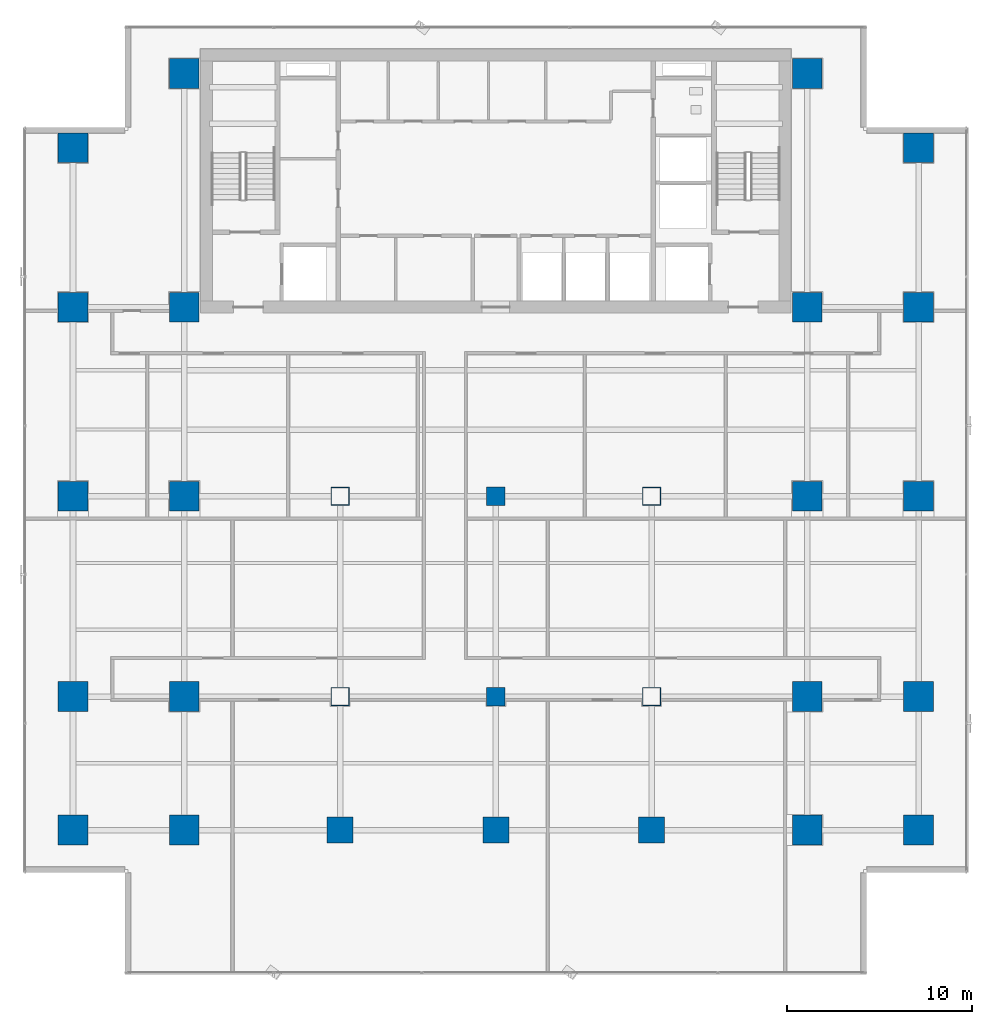
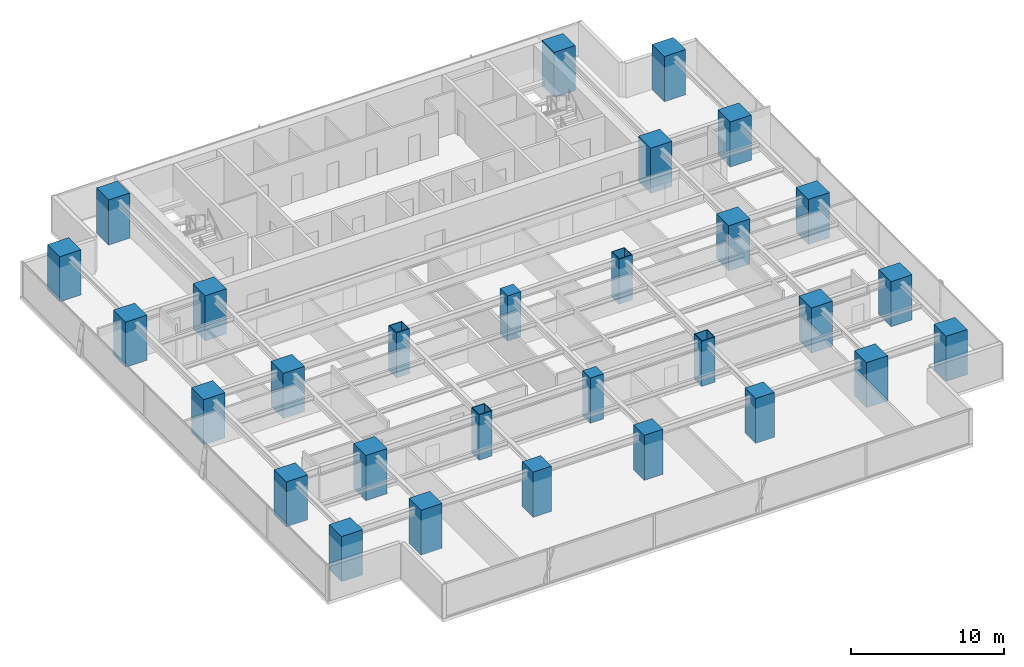
# One storey, part 1 of 34: 29 columns.
"""IFC4 building model written with IfcOpenShell, lengths in metres."""

from ifc_helpers import new_model, si_unit, direction, frame, origin, origin_2d, place, context, subcontext, project, spatial, rectangle, hollow_rectangle, extrude, source, transform, mapped, material, material_profile, profile_set, type_object, element, save


model = new_model("IFC4")

# Units and contexts
model_context = context("Model", 3, precision=1e-05, world=origin(), true_north=direction((0.0, 1.0)))
body_context = subcontext(model_context, "Body", "Model", "MODEL_VIEW")
ifc_project = project(units=[si_unit("LENGTHUNIT", "METRE"), si_unit("AREAUNIT", "SQUARE_METRE"), si_unit("VOLUMEUNIT", "CUBIC_METRE"), si_unit("PLANEANGLEUNIT", "RADIAN"), si_unit("MASSUNIT", "GRAM", prefix="KILO")], contexts=[model_context])

# Site, building, storey
site_placement = place(None, origin())
site = spatial("IfcSite", under=ifc_project, at=site_placement, CompositionType="ELEMENT")
building_placement = place(site_placement, origin())
building = spatial("IfcBuilding", under=site, at=building_placement, Name="Sumidabori Civic Tower", CompositionType="ELEMENT")
storey_placement = place(building_placement, frame((0.0, 0.0, 99.199951171875)))
storey = spatial("IfcBuildingStorey", under=building, at=storey_placement, Name="L25", CompositionType="ELEMENT", Elevation=99.199951171875)

# Columns
ifc_material_1 = material(Name="Concrete C60/75", Category="concrete")
ifc_material_profile_1 = material_profile(ifc_material_1, rectangle(XDim=1.60009765625, YDim=1.60009765625, at=origin_2d()), Name="RC 1600x1600")
ifc_profile_set_1 = profile_set([ifc_material_profile_1], Name="Concrete C60/75")
column_type_1 = type_object("IfcColumnType", Name="CL-MEGA-1600", PredefinedType="COLUMN", material=ifc_profile_set_1)
shared_shape_1 = source(origin(), body_context, "Body", "SweptSolid", [
    extrude(rectangle(XDim=1.60009765625, YDim=1.60009765625, at=origin_2d()), origin(), (0.0, 0.0, 1.0), 3.60009765625),
])
for number, where, z_axis, x_axis, name in (
    (1, (-16.800048828125, -18.0, 0.0), (0.0, 0.0, 1.0), (1.0, 0.0, 0.0), "Column MC-W16-Y18S L25"),
    (2, (-16.800048828125, -10.800048828125, 0.0), (0.0, 0.0, 1.0), (1.0, 0.0, 0.0), "Column MC-W16-Y11S L25"),
    (3, (-16.800048828125, 0.0, 0.0), (0.0, 0.0, 1.0), (1.0, 0.0, 0.0), "Column MC-W16-Y00 L25"),
    (4, (-16.800048828125, 10.199951171875, 0.0), (0.0, 0.0, 1.0), (1.0, 0.0, 0.0), "Column MC-W16-Y10N L25"),
    (5, (-16.800048828125, 22.800048828125, 0.0), (0.0, 0.0, 1.0), (1.0, 0.0, 0.0), "Column MC-W16-Y23N L25"),
    (6, (16.800048828125, -18.0, 0.0), (0.0, 0.0, 1.0), (1.0, 0.0, 0.0), "Column MC-E16-Y18S L25"),
    (7, (16.800048828125, -10.800048828125, 0.0), (0.0, 0.0, 1.0), (1.0, 0.0, 0.0), "Column MC-E16-Y11S L25"),
    (8, (16.800048828125, 0.0, 0.0), (0.0, 0.0, 1.0), (1.0, 0.0, 0.0), "Column MC-E16-Y00 L25"),
    (9, (16.800048828125, 10.199951171875, 0.0), (0.0, 0.0, 1.0), (1.0, 0.0, 0.0), "Column MC-E16-Y10N L25"),
    (10, (16.800048828125, 22.800048828125, 0.0), (0.0, 0.0, 1.0), (1.0, 0.0, 0.0), "Column MC-E16-Y23N L25"),
    (11, (-22.800048828125, -18.0, 0.0), (0.0, 0.0, 1.0), (1.0, 0.0, 0.0), "Column MC-W23-Y18S L25"),
    (12, (-22.800048828125, -10.800048828125, 0.0), (0.0, 0.0, 1.0), (1.0, 0.0, 0.0), "Column MC-W23-Y11S L25"),
    (13, (-22.800048828125, 0.0, 0.0), (0.0, 0.0, 1.0), (1.0, 0.0, 0.0), "Column MC-W23-Y00 L25"),
    (14, (-22.800048828125, 10.199951171875, 0.0), (0.0, 0.0, 1.0), (1.0, 0.0, 0.0), "Column MC-W23-Y10N L25"),
    (15, (-22.800048828125, 18.800048828125, 0.0), (0.0, 0.0, 1.0), (1.0, 0.0, 0.0), "Column MC-W23-Y19N L25"),
    (16, (22.800048828125, -18.0, 0.0), (0.0, 0.0, 1.0), (1.0, 0.0, 0.0), "Column MC-E23-Y18S L25"),
    (17, (22.800048828125, -10.800048828125, 0.0), (0.0, 0.0, 1.0), (1.0, 0.0, 0.0), "Column MC-E23-Y11S L25"),
    (18, (22.800048828125, 0.0, 0.0), (0.0, 0.0, 1.0), (1.0, 0.0, 0.0), "Column MC-E23-Y00 L25"),
    (19, (22.800048828125, 10.199951171875, 0.0), (0.0, 0.0, 1.0), (1.0, 0.0, 0.0), "Column MC-E23-Y10N L25"),
    (20, (22.800048828125, 18.800048828125, 0.0), (0.0, 0.0, 1.0), (1.0, 0.0, 0.0), "Column MC-E23-Y19N L25"),
):
    element("IfcColumn", number, at=place(storey_placement, frame(where, z_axis=z_axis, x_axis=x_axis)), inside=storey, type_object=column_type_1, Name=name, PredefinedType="COLUMN", context=body_context, shape_type="MappedRepresentation", body=[
        mapped(shared_shape_1, transform((0.0, 0.0, 0.0), x_axis=(1.0, 0.0, 0.0), y_axis=(0.0, 1.0, 0.0), z_axis=(0.0, 0.0, 1.0), scale=1.0)),
    ])
ifc_material_2 = material(Name="Steel SM570", Category="steel")
ifc_material_profile_2 = material_profile(ifc_material_2, hollow_rectangle(XDim=1.0, YDim=1.0, WallThickness=0.044921875, at=origin_2d()), Name="SHS 1000x1000x45")
ifc_profile_set_2 = profile_set([ifc_material_profile_2], Name="Steel SM570")
column_type_2 = type_object("IfcColumnType", Name="CL-PORTAL-SHS1000", PredefinedType="COLUMN", material=ifc_profile_set_2)
shared_shape_2 = source(origin(), body_context, "Body", "SweptSolid", [
    extrude(hollow_rectangle(XDim=1.0, YDim=1.0, WallThickness=0.044921875, at=origin_2d()), origin(), (0.0, 0.0, 1.0), 3.60009765625),
])
for number, where, z_axis, x_axis, name in (
    (21, (-8.39990234375, 0.0, 0.0), (0.0, 0.0, 1.0), (1.0, 0.0, 0.0), "Column MC-W08-Y00 L25"),
    (22, (-8.39990234375, -10.800048828125, 0.0), (0.0, 0.0, 1.0), (1.0, 0.0, 0.0), "Column MC-W08-Y11S L25"),
    (23, (8.39990234375, 0.0, 0.0), (0.0, 0.0, 1.0), (1.0, 0.0, 0.0), "Column MC-E08-Y00 L25"),
    (24, (8.39990234375, -10.800048828125, 0.0), (0.0, 0.0, 1.0), (1.0, 0.0, 0.0), "Column MC-E08-Y11S L25"),
):
    element("IfcColumn", number, at=place(storey_placement, frame(where, z_axis=z_axis, x_axis=x_axis)), inside=storey, type_object=column_type_2, Name=name, PredefinedType="COLUMN", context=body_context, shape_type="MappedRepresentation", body=[
        mapped(shared_shape_2, transform((0.0, 0.0, 0.0), x_axis=(1.0, 0.0, 0.0), y_axis=(0.0, 1.0, 0.0), z_axis=(0.0, 0.0, 1.0), scale=1.0)),
    ])
ifc_material_profile_3 = material_profile(ifc_material_1, rectangle(XDim=1.39990234375, YDim=1.39990234375, at=origin_2d()), Name="RC 1400x1400")
ifc_profile_set_3 = profile_set([ifc_material_profile_3], Name="Concrete C60/75")
column_type_3 = type_object("IfcColumnType", Name="CL-MEGA-1400", PredefinedType="COLUMN", material=ifc_profile_set_3)
shared_shape_3 = source(origin(), body_context, "Body", "SweptSolid", [
    extrude(rectangle(XDim=1.39990234375, YDim=1.39990234375, at=origin_2d()), origin(), (0.0, 0.0, 1.0), 3.60009765625),
])
for number, where, z_axis, x_axis, name in (
    (25, (-8.39990234375, -18.0, 0.0), (0.0, 0.0, 1.0), (1.0, 0.0, 0.0), "Column MC-W08-Y18S L25"),
    (26, (8.39990234375, -18.0, 0.0), (0.0, 0.0, 1.0), (1.0, 0.0, 0.0), "Column MC-E08-Y18S L25"),
    (27, (0.0, -18.0, 0.0), (0.0, 0.0, 1.0), (1.0, 0.0, 0.0), "Column MC-C00-Y18S L25"),
):
    element("IfcColumn", number, at=place(storey_placement, frame(where, z_axis=z_axis, x_axis=x_axis)), inside=storey, type_object=column_type_3, Name=name, PredefinedType="COLUMN", context=body_context, shape_type="MappedRepresentation", body=[
        mapped(shared_shape_3, transform((0.0, 0.0, 0.0), x_axis=(1.0, 0.0, 0.0), y_axis=(0.0, 1.0, 0.0), z_axis=(0.0, 0.0, 1.0), scale=1.0)),
    ])
ifc_material_3 = material(Name="Concrete C50/60", Category="concrete")
ifc_material_profile_4 = material_profile(ifc_material_3, rectangle(XDim=1.0, YDim=1.0, at=origin_2d()), Name="RC 1000x1000")
ifc_profile_set_4 = profile_set([ifc_material_profile_4], Name="Concrete C50/60")
column_type_4 = type_object("IfcColumnType", Name="CL-INT-1000", PredefinedType="COLUMN", material=ifc_profile_set_4)
shared_shape_4 = source(origin(), body_context, "Body", "SweptSolid", [
    extrude(rectangle(XDim=1.0, YDim=1.0, at=origin_2d()), origin(), (0.0, 0.0, 1.0), 3.60009765625),
])
for number, where, z_axis, x_axis, name in (
    (28, (0.0, -10.800048828125, 0.0), (0.0, 0.0, 1.0), (1.0, 0.0, 0.0), "Column MC-C00-Y11S L25"),
    (29, (0.0, 0.0, 0.0), (0.0, 0.0, 1.0), (1.0, 0.0, 0.0), "Column MC-C00-Y00 L25"),
):
    element("IfcColumn", number, at=place(storey_placement, frame(where, z_axis=z_axis, x_axis=x_axis)), inside=storey, type_object=column_type_4, Name=name, PredefinedType="COLUMN", context=body_context, shape_type="MappedRepresentation", body=[
        mapped(shared_shape_4, transform((0.0, 0.0, 0.0), x_axis=(1.0, 0.0, 0.0), y_axis=(0.0, 1.0, 0.0), z_axis=(0.0, 0.0, 1.0), scale=1.0)),
    ])

save(model, "model.ifc")
